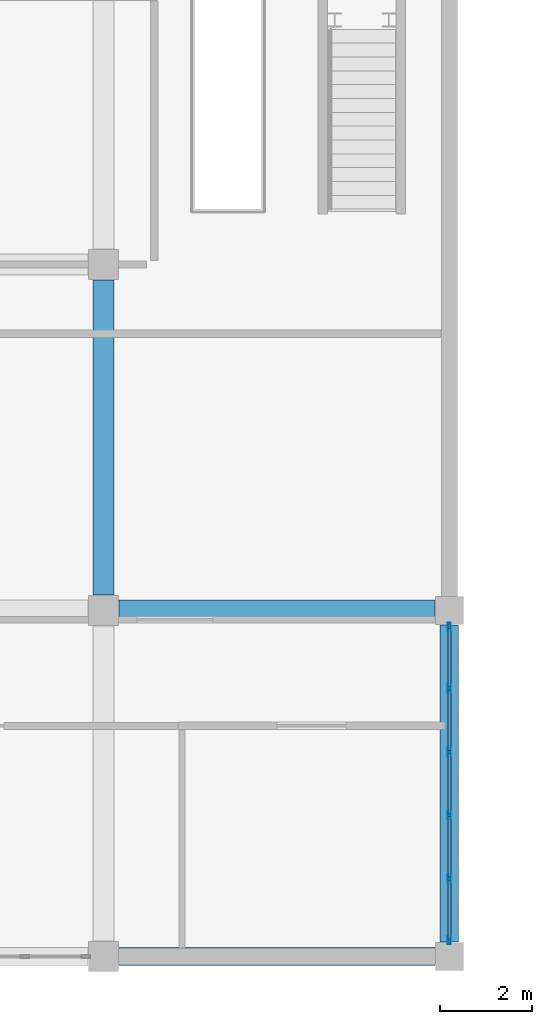
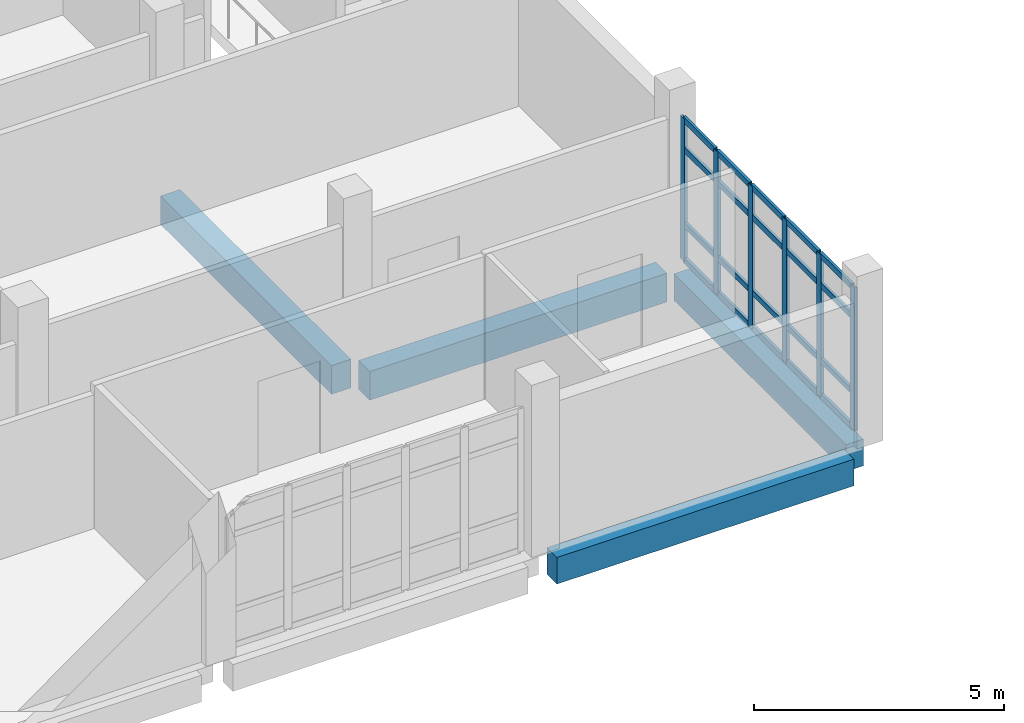
# One storey, part 30 of 164: 26 members, 4 beams, 1 element without a shape of its own.
"""IFC4 building model written with IfcOpenShell, lengths in metres."""

from ifc_helpers import new_model, si_unit, direction, frame, origin, origin_2d, place, context, subcontext, project, spatial, rectangle, hollow_rectangle, extrude, material, layer, layer_set, material_profile, profile_set, type_object, element, aggregate, save


model = new_model("IFC4")

# Units and contexts
model_context = context("Model", 3, precision=1e-05, world=origin(), true_north=direction((0.0, 1.0)))
body_context = subcontext(model_context, "Body", "Model", "MODEL_VIEW")
ifc_project = project(units=[si_unit("LENGTHUNIT", "METRE"), si_unit("AREAUNIT", "SQUARE_METRE"), si_unit("VOLUMEUNIT", "CUBIC_METRE"), si_unit("PLANEANGLEUNIT", "RADIAN"), si_unit("MASSUNIT", "GRAM", prefix="KILO")], contexts=[model_context])

# Site, building, storey
site_placement = place(None, origin())
site = spatial("IfcSite", under=ifc_project, at=site_placement, CompositionType="ELEMENT")
building_placement = place(site_placement, origin())
building = spatial("IfcBuilding", under=site, at=building_placement, Name="Mawjan Specialist Oncology Clinic", CompositionType="ELEMENT")
storey_placement = place(building_placement, frame((0.0, 0.0, 5.0)))
storey = spatial("IfcBuildingStorey", under=building, at=storey_placement, Name="L01", CompositionType="ELEMENT", Elevation=5.0)

# Beams
ifc_material_1 = material(Name="Concrete C40/50", Category="concrete")
ifc_material_profile_1 = material_profile(ifc_material_1, rectangle(XDim=0.449951171875, YDim=0.699951171875, at=origin_2d()), Name="RC BM 450x700", Category="concrete")
ifc_profile_set_1 = profile_set([ifc_material_profile_1], Name="Concrete C40/50")
beam_type_1 = type_object("IfcBeamType", Name="BM-450x700", PredefinedType="BEAM", material=ifc_profile_set_1)
beam_1_placement = place(storey_placement, frame((37.8349609375, 8.300048828125, -0.64990234375), z_axis=(1.0, 0.0, 0.0), x_axis=(0.0, 1.0, 0.0)))
element("IfcBeam", 1, at=beam_1_placement, inside=storey, type_object=beam_type_1, Name="L01 Collector Beam BM-L01-0236", PredefinedType="BEAM", context=body_context, shape_type="SweptSolid", body=[
    extrude(rectangle(XDim=0.449951171875, YDim=0.699951171875, at=origin_2d()), origin(), (0.0, 0.0, 1.0), 6.85498046875),
])
beam_2_placement = place(storey_placement, frame((37.5, 8.635009765625, -0.64990234375), z_axis=(0.0, 1.0, 0.0), x_axis=(-1.0, 0.0, 0.0)))
element("IfcBeam", 2, at=beam_2_placement, inside=storey, type_object=beam_type_1, Name="L01 Collector Beam BM-L01-0463", PredefinedType="BEAM", context=body_context, shape_type="SweptSolid", body=[
    extrude(rectangle(XDim=0.449951171875, YDim=0.699951171875, at=origin_2d()), origin(), (0.0, 0.0, 1.0), 6.830078125),
])

# Curtain wall, members
ifc_material_2 = material(Name="Unitised spectrally selective aluminium curtain wall", Category="aluminium")
ifc_layer = layer(ifc_material_2, 0.179931640625, Name="Unitised spectrally selective aluminium curtain wall", Category="aluminium")
ifc_layer_set = layer_set([ifc_layer], Name="Unitised spectrally selective aluminium curtain wall")
curtain_wall_type = type_object("IfcCurtainWallType", Name="CW-60", PredefinedType="NOTDEFINED", material=ifc_layer_set)
curtain_wall_placement = place(storey_placement, origin())
curtain_wall = element("IfcCurtainWall", 3, at=curtain_wall_placement, inside=storey, type_object=curtain_wall_type, Name="L01 Unitised Curtain Wall CW-L01-141", PredefinedType="NOTDEFINED")
ifc_material_3 = material(Name="Thermally broken aluminium 6063-T6", Category="aluminium")
ifc_material_profile_2 = material_profile(ifc_material_3, hollow_rectangle(XDim=0.06494140625, YDim=0.179931640625, WallThickness=0.00390625, at=origin_2d()), Name="ALU MULLION 180x65x4", Category="aluminium")
ifc_profile_set_2 = profile_set([ifc_material_profile_2], Name="Thermally broken aluminium 6063-T6")
member_type_1 = type_object("IfcMemberType", Name="CW-M180", PredefinedType="MULLION", material=ifc_profile_set_2)
member_1_placement = place(storey_placement, frame((45.0, 7.947509765625, 0.0), z_axis=(0.0, 0.0, 1.0), x_axis=(1.0, 0.0, 0.0)))
member_1 = element("IfcMember", 4, at=member_1_placement, type_object=member_type_1, Name="CW-60 mullion 1", PredefinedType="MULLION", context=body_context, shape_type="SweptSolid", body=[
    extrude(hollow_rectangle(XDim=0.06494140625, YDim=0.179931640625, WallThickness=0.00390625, at=origin_2d()), origin(), (0.0, 0.0, 1.0), 3.485107421875),
])
member_2_placement = place(storey_placement, frame((45.0, 6.60791015625, 0.0), z_axis=(0.0, 0.0, 1.0), x_axis=(1.0, 0.0, 0.0)))
member_2 = element("IfcMember", 5, at=member_2_placement, type_object=member_type_1, Name="CW-60 mullion 2", PredefinedType="MULLION", context=body_context, shape_type="SweptSolid", body=[
    extrude(hollow_rectangle(XDim=0.06494140625, YDim=0.179931640625, WallThickness=0.00390625, at=origin_2d()), origin(), (0.0, 0.0, 1.0), 3.485107421875),
])
member_3_placement = place(storey_placement, frame((45.0, 5.236083984375, 0.0), z_axis=(0.0, 0.0, 1.0), x_axis=(1.0, 0.0, 0.0)))
member_3 = element("IfcMember", 6, at=member_3_placement, type_object=member_type_1, Name="CW-60 mullion 3", PredefinedType="MULLION", context=body_context, shape_type="SweptSolid", body=[
    extrude(hollow_rectangle(XDim=0.06494140625, YDim=0.179931640625, WallThickness=0.00390625, at=origin_2d()), origin(), (0.0, 0.0, 1.0), 3.485107421875),
])
member_4_placement = place(storey_placement, frame((45.0, 3.864013671875, 0.0), z_axis=(0.0, 0.0, 1.0), x_axis=(1.0, 0.0, 0.0)))
member_4 = element("IfcMember", 7, at=member_4_placement, type_object=member_type_1, Name="CW-60 mullion 4", PredefinedType="MULLION", context=body_context, shape_type="SweptSolid", body=[
    extrude(hollow_rectangle(XDim=0.06494140625, YDim=0.179931640625, WallThickness=0.00390625, at=origin_2d()), origin(), (0.0, 0.0, 1.0), 3.485107421875),
])
member_5_placement = place(storey_placement, frame((45.0, 2.491943359375, 0.0), z_axis=(0.0, 0.0, 1.0), x_axis=(1.0, 0.0, 0.0)))
member_5 = element("IfcMember", 8, at=member_5_placement, type_object=member_type_1, Name="CW-60 mullion 5", PredefinedType="MULLION", context=body_context, shape_type="SweptSolid", body=[
    extrude(hollow_rectangle(XDim=0.06494140625, YDim=0.179931640625, WallThickness=0.00390625, at=origin_2d()), origin(), (0.0, 0.0, 1.0), 3.485107421875),
])
member_6_placement = place(storey_placement, frame((45.0, 1.152587890625, 0.0), z_axis=(0.0, 0.0, 1.0), x_axis=(1.0, 0.0, 0.0)))
member_6 = element("IfcMember", 9, at=member_6_placement, type_object=member_type_1, Name="CW-60 mullion 6", PredefinedType="MULLION", context=body_context, shape_type="SweptSolid", body=[
    extrude(hollow_rectangle(XDim=0.06494140625, YDim=0.179931640625, WallThickness=0.00390625, at=origin_2d()), origin(), (0.0, 0.0, 1.0), 3.485107421875),
])
ifc_material_4 = material(Name="Thermally broken aluminium 6063-T6", Category="aluminium")
ifc_material_profile_3 = material_profile(ifc_material_4, hollow_rectangle(XDim=0.06494140625, YDim=0.139892578125, WallThickness=0.00390625, at=origin_2d()), Name="ALU TRANSOM 140x65x4", Category="aluminium")
ifc_profile_set_3 = profile_set([ifc_material_profile_3], Name="Thermally broken aluminium 6063-T6")
member_type_2 = type_object("IfcMemberType", Name="CW-T140", PredefinedType="USERDEFINED", material=ifc_profile_set_3)
member_7_placement = place(storey_placement, frame((45.0, 7.9150390625, 0.032470703125), z_axis=(0.0, -1.0, 0.0), x_axis=(1.0, 0.0, 0.0)))
member_7 = element("IfcMember", 10, at=member_7_placement, type_object=member_type_2, Name="CW-60 transom 1.1", ObjectType="TRANSOM", PredefinedType="USERDEFINED", context=body_context, shape_type="SweptSolid", body=[
    extrude(hollow_rectangle(XDim=0.06494140625, YDim=0.139892578125, WallThickness=0.00390625, at=origin_2d()), origin(), (0.0, 0.0, 1.0), 1.274658203125),
])
member_8_placement = place(storey_placement, frame((45.0, 7.9150390625, 0.89990234375), z_axis=(0.0, -1.0, 0.0), x_axis=(1.0, 0.0, 0.0)))
member_8 = element("IfcMember", 11, at=member_8_placement, type_object=member_type_2, Name="CW-60 transom 1.2", ObjectType="TRANSOM", PredefinedType="USERDEFINED", context=body_context, shape_type="SweptSolid", body=[
    extrude(hollow_rectangle(XDim=0.06494140625, YDim=0.139892578125, WallThickness=0.00390625, at=origin_2d()), origin(), (0.0, 0.0, 1.0), 1.274658203125),
])
member_9_placement = place(storey_placement, frame((45.0, 7.9150390625, 2.735107421875), z_axis=(0.0, -1.0, 0.0), x_axis=(1.0, 0.0, 0.0)))
member_9 = element("IfcMember", 12, at=member_9_placement, type_object=member_type_2, Name="CW-60 transom 1.3", ObjectType="TRANSOM", PredefinedType="USERDEFINED", context=body_context, shape_type="SweptSolid", body=[
    extrude(hollow_rectangle(XDim=0.06494140625, YDim=0.139892578125, WallThickness=0.00390625, at=origin_2d()), origin(), (0.0, 0.0, 1.0), 1.274658203125),
])
member_10_placement = place(storey_placement, frame((45.0, 7.9150390625, 3.452392578125), z_axis=(0.0, -1.0, 0.0), x_axis=(1.0, 0.0, 0.0)))
member_10 = element("IfcMember", 13, at=member_10_placement, type_object=member_type_2, Name="CW-60 transom 1.4", ObjectType="TRANSOM", PredefinedType="USERDEFINED", context=body_context, shape_type="SweptSolid", body=[
    extrude(hollow_rectangle(XDim=0.06494140625, YDim=0.139892578125, WallThickness=0.00390625, at=origin_2d()), origin(), (0.0, 0.0, 1.0), 1.274658203125),
])
member_11_placement = place(storey_placement, frame((45.0, 6.575439453125, 0.032470703125), z_axis=(0.0, -1.0, 0.0), x_axis=(1.0, 0.0, 0.0)))
member_11 = element("IfcMember", 14, at=member_11_placement, type_object=member_type_2, Name="CW-60 transom 2.1", ObjectType="TRANSOM", PredefinedType="USERDEFINED", context=body_context, shape_type="SweptSolid", body=[
    extrude(hollow_rectangle(XDim=0.06494140625, YDim=0.139892578125, WallThickness=0.00390625, at=origin_2d()), origin(), (0.0, 0.0, 1.0), 1.306884765625),
])
member_12_placement = place(storey_placement, frame((45.0, 6.575439453125, 0.89990234375), z_axis=(0.0, -1.0, 0.0), x_axis=(1.0, 0.0, 0.0)))
member_12 = element("IfcMember", 15, at=member_12_placement, type_object=member_type_2, Name="CW-60 transom 2.2", ObjectType="TRANSOM", PredefinedType="USERDEFINED", context=body_context, shape_type="SweptSolid", body=[
    extrude(hollow_rectangle(XDim=0.06494140625, YDim=0.139892578125, WallThickness=0.00390625, at=origin_2d()), origin(), (0.0, 0.0, 1.0), 1.306884765625),
])
member_13_placement = place(storey_placement, frame((45.0, 6.575439453125, 2.735107421875), z_axis=(0.0, -1.0, 0.0), x_axis=(1.0, 0.0, 0.0)))
member_13 = element("IfcMember", 16, at=member_13_placement, type_object=member_type_2, Name="CW-60 transom 2.3", ObjectType="TRANSOM", PredefinedType="USERDEFINED", context=body_context, shape_type="SweptSolid", body=[
    extrude(hollow_rectangle(XDim=0.06494140625, YDim=0.139892578125, WallThickness=0.00390625, at=origin_2d()), origin(), (0.0, 0.0, 1.0), 1.306884765625),
])
member_14_placement = place(storey_placement, frame((45.0, 6.575439453125, 3.452392578125), z_axis=(0.0, -1.0, 0.0), x_axis=(1.0, 0.0, 0.0)))
member_14 = element("IfcMember", 17, at=member_14_placement, type_object=member_type_2, Name="CW-60 transom 2.4", ObjectType="TRANSOM", PredefinedType="USERDEFINED", context=body_context, shape_type="SweptSolid", body=[
    extrude(hollow_rectangle(XDim=0.06494140625, YDim=0.139892578125, WallThickness=0.00390625, at=origin_2d()), origin(), (0.0, 0.0, 1.0), 1.306884765625),
])
member_15_placement = place(storey_placement, frame((45.0, 5.20361328125, 0.032470703125), z_axis=(0.0, -1.0, 0.0), x_axis=(1.0, 0.0, 0.0)))
member_15 = element("IfcMember", 18, at=member_15_placement, type_object=member_type_2, Name="CW-60 transom 3.1", ObjectType="TRANSOM", PredefinedType="USERDEFINED", context=body_context, shape_type="SweptSolid", body=[
    extrude(hollow_rectangle(XDim=0.06494140625, YDim=0.139892578125, WallThickness=0.00390625, at=origin_2d()), origin(), (0.0, 0.0, 1.0), 1.30712890625),
])
member_16_placement = place(storey_placement, frame((45.0, 5.20361328125, 0.89990234375), z_axis=(0.0, -1.0, 0.0), x_axis=(1.0, 0.0, 0.0)))
member_16 = element("IfcMember", 19, at=member_16_placement, type_object=member_type_2, Name="CW-60 transom 3.2", ObjectType="TRANSOM", PredefinedType="USERDEFINED", context=body_context, shape_type="SweptSolid", body=[
    extrude(hollow_rectangle(XDim=0.06494140625, YDim=0.139892578125, WallThickness=0.00390625, at=origin_2d()), origin(), (0.0, 0.0, 1.0), 1.30712890625),
])
member_17_placement = place(storey_placement, frame((45.0, 5.20361328125, 2.735107421875), z_axis=(0.0, -1.0, 0.0), x_axis=(1.0, 0.0, 0.0)))
member_17 = element("IfcMember", 20, at=member_17_placement, type_object=member_type_2, Name="CW-60 transom 3.3", ObjectType="TRANSOM", PredefinedType="USERDEFINED", context=body_context, shape_type="SweptSolid", body=[
    extrude(hollow_rectangle(XDim=0.06494140625, YDim=0.139892578125, WallThickness=0.00390625, at=origin_2d()), origin(), (0.0, 0.0, 1.0), 1.30712890625),
])
member_18_placement = place(storey_placement, frame((45.0, 5.20361328125, 3.452392578125), z_axis=(0.0, -1.0, 0.0), x_axis=(1.0, 0.0, 0.0)))
member_18 = element("IfcMember", 21, at=member_18_placement, type_object=member_type_2, Name="CW-60 transom 3.4", ObjectType="TRANSOM", PredefinedType="USERDEFINED", context=body_context, shape_type="SweptSolid", body=[
    extrude(hollow_rectangle(XDim=0.06494140625, YDim=0.139892578125, WallThickness=0.00390625, at=origin_2d()), origin(), (0.0, 0.0, 1.0), 1.30712890625),
])
member_19_placement = place(storey_placement, frame((45.0, 3.83154296875, 0.032470703125), z_axis=(0.0, -1.0, 0.0), x_axis=(1.0, 0.0, 0.0)))
member_19 = element("IfcMember", 22, at=member_19_placement, type_object=member_type_2, Name="CW-60 transom 4.1", ObjectType="TRANSOM", PredefinedType="USERDEFINED", context=body_context, shape_type="SweptSolid", body=[
    extrude(hollow_rectangle(XDim=0.06494140625, YDim=0.139892578125, WallThickness=0.00390625, at=origin_2d()), origin(), (0.0, 0.0, 1.0), 1.30712890625),
])
member_20_placement = place(storey_placement, frame((45.0, 3.83154296875, 0.89990234375), z_axis=(0.0, -1.0, 0.0), x_axis=(1.0, 0.0, 0.0)))
member_20 = element("IfcMember", 23, at=member_20_placement, type_object=member_type_2, Name="CW-60 transom 4.2", ObjectType="TRANSOM", PredefinedType="USERDEFINED", context=body_context, shape_type="SweptSolid", body=[
    extrude(hollow_rectangle(XDim=0.06494140625, YDim=0.139892578125, WallThickness=0.00390625, at=origin_2d()), origin(), (0.0, 0.0, 1.0), 1.30712890625),
])
member_21_placement = place(storey_placement, frame((45.0, 3.83154296875, 2.735107421875), z_axis=(0.0, -1.0, 0.0), x_axis=(1.0, 0.0, 0.0)))
member_21 = element("IfcMember", 24, at=member_21_placement, type_object=member_type_2, Name="CW-60 transom 4.3", ObjectType="TRANSOM", PredefinedType="USERDEFINED", context=body_context, shape_type="SweptSolid", body=[
    extrude(hollow_rectangle(XDim=0.06494140625, YDim=0.139892578125, WallThickness=0.00390625, at=origin_2d()), origin(), (0.0, 0.0, 1.0), 1.30712890625),
])
member_22_placement = place(storey_placement, frame((45.0, 3.83154296875, 3.452392578125), z_axis=(0.0, -1.0, 0.0), x_axis=(1.0, 0.0, 0.0)))
member_22 = element("IfcMember", 25, at=member_22_placement, type_object=member_type_2, Name="CW-60 transom 4.4", ObjectType="TRANSOM", PredefinedType="USERDEFINED", context=body_context, shape_type="SweptSolid", body=[
    extrude(hollow_rectangle(XDim=0.06494140625, YDim=0.139892578125, WallThickness=0.00390625, at=origin_2d()), origin(), (0.0, 0.0, 1.0), 1.30712890625),
])
member_23_placement = place(storey_placement, frame((45.0, 2.45947265625, 0.032470703125), z_axis=(0.0, -1.0, 0.0), x_axis=(1.0, 0.0, 0.0)))
member_23 = element("IfcMember", 26, at=member_23_placement, type_object=member_type_2, Name="CW-60 transom 5.1", ObjectType="TRANSOM", PredefinedType="USERDEFINED", context=body_context, shape_type="SweptSolid", body=[
    extrude(hollow_rectangle(XDim=0.06494140625, YDim=0.139892578125, WallThickness=0.00390625, at=origin_2d()), origin(), (0.0, 0.0, 1.0), 1.2744140625),
])
member_24_placement = place(storey_placement, frame((45.0, 2.45947265625, 0.89990234375), z_axis=(0.0, -1.0, 0.0), x_axis=(1.0, 0.0, 0.0)))
member_24 = element("IfcMember", 27, at=member_24_placement, type_object=member_type_2, Name="CW-60 transom 5.2", ObjectType="TRANSOM", PredefinedType="USERDEFINED", context=body_context, shape_type="SweptSolid", body=[
    extrude(hollow_rectangle(XDim=0.06494140625, YDim=0.139892578125, WallThickness=0.00390625, at=origin_2d()), origin(), (0.0, 0.0, 1.0), 1.2744140625),
])
member_25_placement = place(storey_placement, frame((45.0, 2.45947265625, 2.735107421875), z_axis=(0.0, -1.0, 0.0), x_axis=(1.0, 0.0, 0.0)))
member_25 = element("IfcMember", 28, at=member_25_placement, type_object=member_type_2, Name="CW-60 transom 5.3", ObjectType="TRANSOM", PredefinedType="USERDEFINED", context=body_context, shape_type="SweptSolid", body=[
    extrude(hollow_rectangle(XDim=0.06494140625, YDim=0.139892578125, WallThickness=0.00390625, at=origin_2d()), origin(), (0.0, 0.0, 1.0), 1.2744140625),
])
member_26_placement = place(storey_placement, frame((45.0, 2.45947265625, 3.452392578125), z_axis=(0.0, -1.0, 0.0), x_axis=(1.0, 0.0, 0.0)))
member_26 = element("IfcMember", 29, at=member_26_placement, type_object=member_type_2, Name="CW-60 transom 5.4", ObjectType="TRANSOM", PredefinedType="USERDEFINED", context=body_context, shape_type="SweptSolid", body=[
    extrude(hollow_rectangle(XDim=0.06494140625, YDim=0.139892578125, WallThickness=0.00390625, at=origin_2d()), origin(), (0.0, 0.0, 1.0), 1.2744140625),
])
aggregate(curtain_wall, [member_1, member_2, member_3, member_4, member_5, member_6, member_7, member_8, member_9, member_10, member_11, member_12, member_13, member_14, member_15, member_16, member_17, member_18, member_19, member_20, member_21, member_22, member_23, member_24, member_25, member_26])

# Beams
ifc_material_5 = material(Name="Concrete C45/55", Category="concrete")
ifc_material_profile_4 = material_profile(ifc_material_5, rectangle(XDim=0.39990234375, YDim=0.64990234375, at=origin_2d()), Name="RC BM 400x650", Category="concrete")
ifc_profile_set_4 = profile_set([ifc_material_profile_4], Name="Concrete C45/55")
beam_type_2 = type_object("IfcBeamType", Name="SP-400x650", PredefinedType="SPANDREL", material=ifc_profile_set_4)
beam_3_placement = place(storey_placement, frame((37.8349609375, 0.800048828125, -0.625), z_axis=(1.0, 0.0, 0.0), x_axis=(0.0, 1.0, 0.0)))
element("IfcBeam", 30, at=beam_3_placement, inside=storey, type_object=beam_type_2, Name="L01 Spandrel Beam BM-L01-0230", PredefinedType="SPANDREL", context=body_context, shape_type="SweptSolid", body=[
    extrude(rectangle(XDim=0.39990234375, YDim=0.64990234375, at=origin_2d()), origin(), (0.0, 0.0, 1.0), 6.85498046875),
])
beam_4_placement = place(storey_placement, frame((45.0, 1.110107421875, -0.625), z_axis=(0.0, 1.0, 0.0), x_axis=(-1.0, 0.0, 0.0)))
element("IfcBeam", 31, at=beam_4_placement, inside=storey, type_object=beam_type_2, Name="L01 Spandrel Beam BM-L01-0472", PredefinedType="SPANDREL", context=body_context, shape_type="SweptSolid", body=[
    extrude(rectangle(XDim=0.39990234375, YDim=0.64990234375, at=origin_2d()), origin(), (0.0, 0.0, 1.0), 6.8798828125),
])

save(model, "model.ifc")
